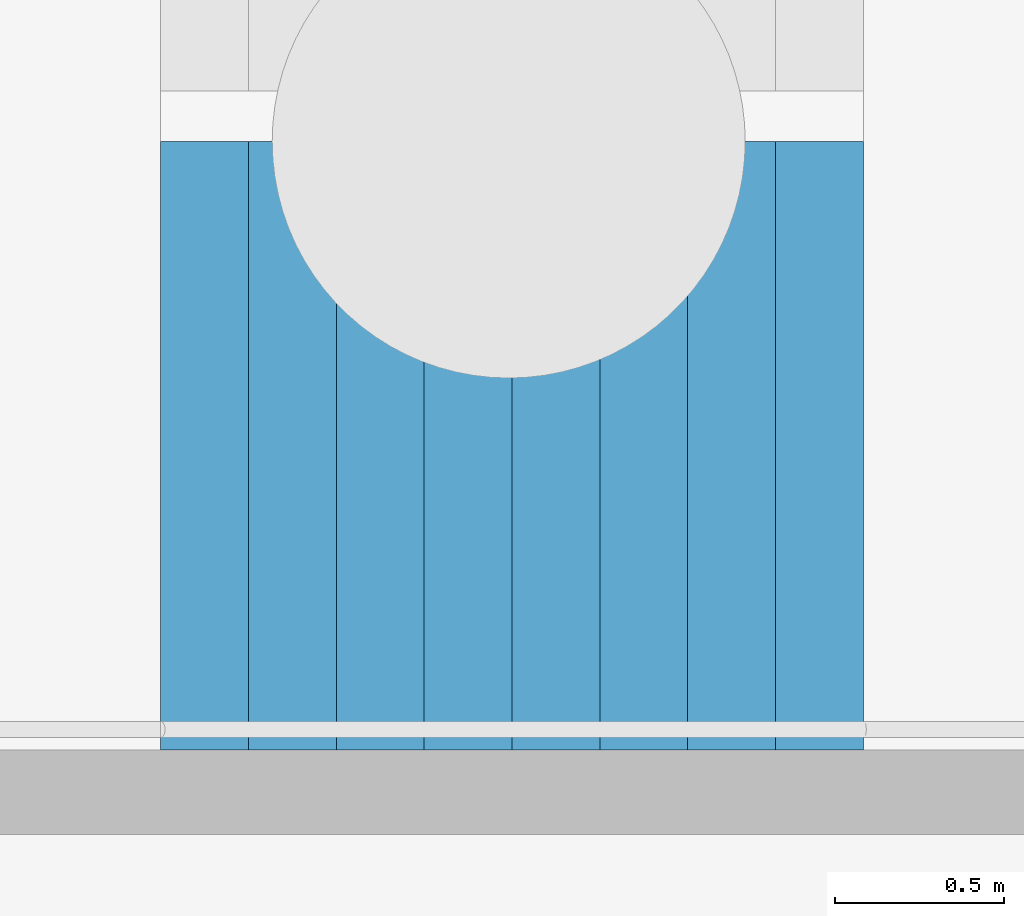
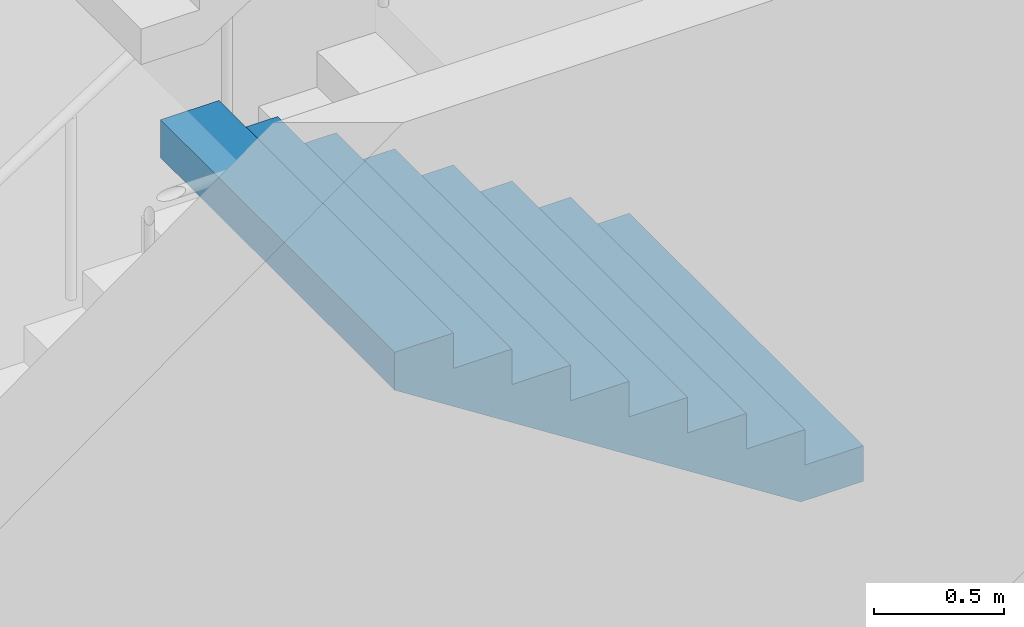
# One storey, part 80 of 113: 1 stair flight, 1 element without a shape of its own.
"""IFC4 building model written with IfcOpenShell, lengths in metres."""

from ifc_helpers import new_model, si_unit, direction, frame, origin, place, context, subcontext, project, spatial, triangles, material, type_object, element, aggregate, save


model = new_model("IFC4")

# Units and contexts
model_context = context("Model", 3, precision=1e-05, world=origin(), true_north=direction((0.0, 1.0)))
body_context = subcontext(model_context, "Body", "Model", "MODEL_VIEW")
ifc_project = project(units=[si_unit("LENGTHUNIT", "METRE"), si_unit("AREAUNIT", "SQUARE_METRE"), si_unit("VOLUMEUNIT", "CUBIC_METRE"), si_unit("PLANEANGLEUNIT", "RADIAN"), si_unit("MASSUNIT", "GRAM", prefix="KILO")], contexts=[model_context])

# Site, building, storey
site_placement = place(None, origin())
site = spatial("IfcSite", under=ifc_project, at=site_placement, CompositionType="ELEMENT")
building_placement = place(site_placement, origin())
building = spatial("IfcBuilding", under=site, at=building_placement, Name="Hakoniwa Tower and Hamabe Station Hall", CompositionType="ELEMENT")
storey_placement = place(building_placement, origin())
storey = spatial("IfcBuildingStorey", under=building, at=storey_placement, Name="L01", CompositionType="ELEMENT", Elevation=0.0)

# Stair, stair flight
ifc_material_1 = material(Name="Concrete C40", Category="concrete")
stair_type = type_object("IfcStairType", Name="ESCAPE STAIR 1800", PredefinedType="HALF_TURN_STAIR", material=ifc_material_1)
stair_placement = place(storey_placement, origin())
stair = element("IfcStair", 1, at=stair_placement, inside=storey, type_object=stair_type, Name="Escape stair ST-3 L01", PredefinedType="HALF_TURN_STAIR")
ifc_material_2 = material(Name="Concrete C40", Category="concrete")
stair_flight_type = type_object("IfcStairFlightType", Name="STAIR FLIGHT 1800", PredefinedType="STRAIGHT", material=ifc_material_2)
stair_flight_placement = place(storey_placement, frame((24.39990234375, 4.64990234375, 6.0), z_axis=(0.0, 0.0, 1.0), x_axis=(-1.0, 0.0, 0.0)))
stair_flight = element("IfcStairFlight", 2, at=stair_flight_placement, type_object=stair_flight_type, Name="ST-3 flight 5", NumberOfRisers=9, NumberOfTreads=8, PredefinedType="STRAIGHT", RiserHeight=0.166666667, TreadLength=0.26, context=body_context, shape_type="Tessellation", body=[
    triangles([(0.0, 0.89990234375, 0.0), (0.260009765625, 0.89990234375, 0.0), (0.27783203125, 0.89990234375, 0.0), (0.52001953125, 0.89990234375, 0.1552734375), (0.780029296875, 0.89990234375, 0.322021484375), (1.0400390625, 0.89990234375, 0.488525390625), (1.300048828125, 0.89990234375, 0.6552734375), (1.56005859375, 0.89990234375, 0.822021484375), (1.820068359375, 0.89990234375, 0.988525390625), (2.080078125, 0.89990234375, 1.1552734375), (2.080078125, 0.89990234375, 1.333251953125), (1.820068359375, 0.89990234375, 1.333251953125), (1.820068359375, 0.89990234375, 1.166748046875), (1.56005859375, 0.89990234375, 1.166748046875), (1.56005859375, 0.89990234375, 1.0), (1.300048828125, 0.89990234375, 1.0), (1.300048828125, 0.89990234375, 0.833251953125), (1.0400390625, 0.89990234375, 0.833251953125), (1.0400390625, 0.89990234375, 0.666748046875), (0.780029296875, 0.89990234375, 0.666748046875), (0.780029296875, 0.89990234375, 0.5), (0.52001953125, 0.89990234375, 0.5), (0.52001953125, 0.89990234375, 0.333251953125), (0.27783203125, 0.89990234375, 0.333251953125), (0.260009765625, 0.89990234375, 0.333251953125), (0.260009765625, 0.89990234375, 0.166748046875), (0.0, 0.89990234375, 0.166748046875), (0.0, 0.06005859375, 0.0), (0.260009765625, 0.06005859375, 0.0), (0.27783203125, 0.06005859375, 0.0), (0.52001953125, 0.06005859375, 0.1552734375), (0.780029296875, 0.06005859375, 0.322021484375), (1.0400390625, 0.06005859375, 0.488525390625), (1.300048828125, 0.06005859375, 0.6552734375), (1.56005859375, 0.06005859375, 0.822021484375), (1.820068359375, 0.06005859375, 0.988525390625), (2.080078125, 0.06005859375, 1.1552734375), (2.080078125, 0.06005859375, 1.333251953125), (1.820068359375, 0.06005859375, 1.333251953125), (1.820068359375, 0.06005859375, 1.166748046875), (1.56005859375, 0.06005859375, 1.166748046875), (1.56005859375, 0.06005859375, 1.0), (1.300048828125, 0.06005859375, 1.0), (1.300048828125, 0.06005859375, 0.833251953125), (1.0400390625, 0.06005859375, 0.833251953125), (1.0400390625, 0.06005859375, 0.666748046875), (0.780029296875, 0.06005859375, 0.666748046875), (0.780029296875, 0.06005859375, 0.5), (0.52001953125, 0.06005859375, 0.5), (0.52001953125, 0.06005859375, 0.333251953125), (0.27783203125, 0.06005859375, 0.333251953125), (0.260009765625, 0.06005859375, 0.333251953125), (0.260009765625, 0.06005859375, 0.166748046875), (0.0, 0.06005859375, 0.166748046875), (0.0, 0.04296875, 0.0), (0.260009765625, 0.04296875, 0.0), (0.27783203125, 0.04296875, 0.0), (0.52001953125, 0.04296875, 0.1552734375), (0.780029296875, 0.04296875, 0.322021484375), (1.0400390625, 0.04296875, 0.488525390625), (1.300048828125, 0.04296875, 0.6552734375), (1.56005859375, 0.04296875, 0.822021484375), (1.820068359375, 0.04296875, 0.988525390625), (2.080078125, 0.04296875, 1.1552734375), (2.080078125, 0.04296875, 1.333251953125), (1.820068359375, 0.04296875, 1.333251953125), (1.820068359375, 0.04296875, 1.166748046875), (1.56005859375, 0.04296875, 1.166748046875), (1.56005859375, 0.04296875, 1.0), (1.300048828125, 0.04296875, 1.0), (1.300048828125, 0.04296875, 0.833251953125), (1.0400390625, 0.04296875, 0.833251953125), (1.0400390625, 0.04296875, 0.666748046875), (0.780029296875, 0.04296875, 0.666748046875), (0.780029296875, 0.04296875, 0.5), (0.52001953125, 0.04296875, 0.5), (0.52001953125, 0.04296875, 0.333251953125), (0.27783203125, 0.04296875, 0.333251953125), (0.260009765625, 0.04296875, 0.333251953125), (0.260009765625, 0.04296875, 0.166748046875), (0.0, 0.04296875, 0.166748046875), (0.0, 0.025634765625, 0.0), (0.260009765625, 0.025634765625, 0.0), (0.27783203125, 0.025634765625, 0.0), (0.52001953125, 0.025634765625, 0.1552734375), (0.780029296875, 0.025634765625, 0.322021484375), (1.0400390625, 0.025634765625, 0.488525390625), (1.300048828125, 0.025634765625, 0.6552734375), (1.56005859375, 0.025634765625, 0.822021484375), (1.820068359375, 0.025634765625, 0.988525390625), (2.080078125, 0.025634765625, 1.1552734375), (2.080078125, 0.025634765625, 1.333251953125), (1.820068359375, 0.025634765625, 1.333251953125), (1.820068359375, 0.025634765625, 1.166748046875), (1.56005859375, 0.025634765625, 1.166748046875), (1.56005859375, 0.025634765625, 1.0), (1.300048828125, 0.025634765625, 1.0), (1.300048828125, 0.025634765625, 0.833251953125), (1.0400390625, 0.025634765625, 0.833251953125), (1.0400390625, 0.025634765625, 0.666748046875), (0.780029296875, 0.025634765625, 0.666748046875), (0.780029296875, 0.025634765625, 0.5), (0.52001953125, 0.025634765625, 0.5), (0.52001953125, 0.025634765625, 0.333251953125), (0.27783203125, 0.025634765625, 0.333251953125), (0.260009765625, 0.025634765625, 0.333251953125), (0.260009765625, 0.025634765625, 0.166748046875), (0.0, 0.025634765625, 0.166748046875), (0.0, 0.008544921875, 0.0), (0.260009765625, 0.008544921875, 0.0), (0.27783203125, 0.008544921875, 0.0), (0.52001953125, 0.008544921875, 0.1552734375), (0.780029296875, 0.008544921875, 0.322021484375), (1.0400390625, 0.008544921875, 0.488525390625), (1.300048828125, 0.008544921875, 0.6552734375), (1.56005859375, 0.008544921875, 0.822021484375), (1.820068359375, 0.008544921875, 0.988525390625), (2.080078125, 0.008544921875, 1.1552734375), (2.080078125, 0.008544921875, 1.333251953125), (1.820068359375, 0.008544921875, 1.333251953125), (1.820068359375, 0.008544921875, 1.166748046875), (1.56005859375, 0.008544921875, 1.166748046875), (1.56005859375, 0.008544921875, 1.0), (1.300048828125, 0.008544921875, 1.0), (1.300048828125, 0.008544921875, 0.833251953125), (1.0400390625, 0.008544921875, 0.833251953125), (1.0400390625, 0.008544921875, 0.666748046875), (0.780029296875, 0.008544921875, 0.666748046875), (0.780029296875, 0.008544921875, 0.5), (0.52001953125, 0.008544921875, 0.5), (0.52001953125, 0.008544921875, 0.333251953125), (0.27783203125, 0.008544921875, 0.333251953125), (0.260009765625, 0.008544921875, 0.333251953125), (0.260009765625, 0.008544921875, 0.166748046875), (0.0, 0.008544921875, 0.166748046875), (0.0, -0.008544921875, 0.0), (0.260009765625, -0.008544921875, 0.0), (0.27783203125, -0.008544921875, 0.0), (0.52001953125, -0.008544921875, 0.1552734375), (0.780029296875, -0.008544921875, 0.322021484375), (1.0400390625, -0.008544921875, 0.488525390625), (1.300048828125, -0.008544921875, 0.6552734375), (1.56005859375, -0.008544921875, 0.822021484375), (1.820068359375, -0.008544921875, 0.988525390625), (2.080078125, -0.008544921875, 1.1552734375), (2.080078125, -0.008544921875, 1.333251953125), (1.820068359375, -0.008544921875, 1.333251953125), (1.820068359375, -0.008544921875, 1.166748046875), (1.56005859375, -0.008544921875, 1.166748046875), (1.56005859375, -0.008544921875, 1.0), (1.300048828125, -0.008544921875, 1.0), (1.300048828125, -0.008544921875, 0.833251953125), (1.0400390625, -0.008544921875, 0.833251953125), (1.0400390625, -0.008544921875, 0.666748046875), (0.780029296875, -0.008544921875, 0.666748046875), (0.780029296875, -0.008544921875, 0.5), (0.52001953125, -0.008544921875, 0.5), (0.52001953125, -0.008544921875, 0.333251953125), (0.27783203125, -0.008544921875, 0.333251953125), (0.260009765625, -0.008544921875, 0.333251953125), (0.260009765625, -0.008544921875, 0.166748046875), (0.0, -0.008544921875, 0.166748046875), (0.0, -0.025634765625, 0.0), (0.260009765625, -0.025634765625, 0.0), (0.27783203125, -0.025634765625, 0.0), (0.52001953125, -0.025634765625, 0.1552734375), (0.780029296875, -0.025634765625, 0.322021484375), (1.0400390625, -0.025634765625, 0.488525390625), (1.300048828125, -0.025634765625, 0.6552734375), (1.56005859375, -0.025634765625, 0.822021484375), (1.820068359375, -0.025634765625, 0.988525390625), (2.080078125, -0.025634765625, 1.1552734375), (2.080078125, -0.025634765625, 1.333251953125), (1.820068359375, -0.025634765625, 1.333251953125), (1.820068359375, -0.025634765625, 1.166748046875), (1.56005859375, -0.025634765625, 1.166748046875), (1.56005859375, -0.025634765625, 1.0), (1.300048828125, -0.025634765625, 1.0), (1.300048828125, -0.025634765625, 0.833251953125), (1.0400390625, -0.025634765625, 0.833251953125), (1.0400390625, -0.025634765625, 0.666748046875), (0.780029296875, -0.025634765625, 0.666748046875), (0.780029296875, -0.025634765625, 0.5), (0.52001953125, -0.025634765625, 0.5), (0.52001953125, -0.025634765625, 0.333251953125), (0.27783203125, -0.025634765625, 0.333251953125), (0.260009765625, -0.025634765625, 0.333251953125), (0.260009765625, -0.025634765625, 0.166748046875), (0.0, -0.025634765625, 0.166748046875), (0.0, -0.04296875, 0.0), (0.260009765625, -0.04296875, 0.0), (0.27783203125, -0.04296875, 0.0), (0.52001953125, -0.04296875, 0.1552734375), (0.780029296875, -0.04296875, 0.322021484375), (1.0400390625, -0.04296875, 0.488525390625), (1.300048828125, -0.04296875, 0.6552734375), (1.56005859375, -0.04296875, 0.822021484375), (1.820068359375, -0.04296875, 0.988525390625), (2.080078125, -0.04296875, 1.1552734375), (2.080078125, -0.04296875, 1.333251953125), (1.820068359375, -0.04296875, 1.333251953125), (1.820068359375, -0.04296875, 1.166748046875), (1.56005859375, -0.04296875, 1.166748046875), (1.56005859375, -0.04296875, 1.0), (1.300048828125, -0.04296875, 1.0), (1.300048828125, -0.04296875, 0.833251953125), (1.0400390625, -0.04296875, 0.833251953125), (1.0400390625, -0.04296875, 0.666748046875), (0.780029296875, -0.04296875, 0.666748046875), (0.780029296875, -0.04296875, 0.5), (0.52001953125, -0.04296875, 0.5), (0.52001953125, -0.04296875, 0.333251953125), (0.27783203125, -0.04296875, 0.333251953125), (0.260009765625, -0.04296875, 0.333251953125), (0.260009765625, -0.04296875, 0.166748046875), (0.0, -0.04296875, 0.166748046875), (0.0, -0.06005859375, 0.0), (0.260009765625, -0.06005859375, 0.0), (0.27783203125, -0.06005859375, 0.0), (0.52001953125, -0.06005859375, 0.1552734375), (0.780029296875, -0.06005859375, 0.322021484375), (1.0400390625, -0.06005859375, 0.488525390625), (1.300048828125, -0.06005859375, 0.6552734375), (1.56005859375, -0.06005859375, 0.822021484375), (1.820068359375, -0.06005859375, 0.988525390625), (2.080078125, -0.06005859375, 1.1552734375), (2.080078125, -0.06005859375, 1.333251953125), (1.820068359375, -0.06005859375, 1.333251953125), (1.820068359375, -0.06005859375, 1.166748046875), (1.56005859375, -0.06005859375, 1.166748046875), (1.56005859375, -0.06005859375, 1.0), (1.300048828125, -0.06005859375, 1.0), (1.300048828125, -0.06005859375, 0.833251953125), (1.0400390625, -0.06005859375, 0.833251953125), (1.0400390625, -0.06005859375, 0.666748046875), (0.780029296875, -0.06005859375, 0.666748046875), (0.780029296875, -0.06005859375, 0.5), (0.52001953125, -0.06005859375, 0.5), (0.52001953125, -0.06005859375, 0.333251953125), (0.27783203125, -0.06005859375, 0.333251953125), (0.260009765625, -0.06005859375, 0.333251953125), (0.260009765625, -0.06005859375, 0.166748046875), (0.0, -0.06005859375, 0.166748046875), (0.0, -0.89990234375, 0.0), (0.260009765625, -0.89990234375, 0.0), (0.27783203125, -0.89990234375, 0.0), (0.52001953125, -0.89990234375, 0.1552734375), (0.780029296875, -0.89990234375, 0.322021484375), (1.0400390625, -0.89990234375, 0.488525390625), (1.300048828125, -0.89990234375, 0.6552734375), (1.56005859375, -0.89990234375, 0.822021484375), (1.820068359375, -0.89990234375, 0.988525390625), (2.080078125, -0.89990234375, 1.1552734375), (2.080078125, -0.89990234375, 1.333251953125), (1.820068359375, -0.89990234375, 1.333251953125), (1.820068359375, -0.89990234375, 1.166748046875), (1.56005859375, -0.89990234375, 1.166748046875), (1.56005859375, -0.89990234375, 1.0), (1.300048828125, -0.89990234375, 1.0), (1.300048828125, -0.89990234375, 0.833251953125), (1.0400390625, -0.89990234375, 0.833251953125), (1.0400390625, -0.89990234375, 0.666748046875), (0.780029296875, -0.89990234375, 0.666748046875), (0.780029296875, -0.89990234375, 0.5), (0.52001953125, -0.89990234375, 0.5), (0.52001953125, -0.89990234375, 0.333251953125), (0.27783203125, -0.89990234375, 0.333251953125), (0.260009765625, -0.89990234375, 0.333251953125), (0.260009765625, -0.89990234375, 0.166748046875), (0.0, -0.89990234375, 0.166748046875)], [[2, 27, 26], [245, 269, 270], [2, 1, 27], [245, 270, 244], [3, 25, 24], [246, 267, 268], [3, 26, 25], [246, 268, 269], [3, 2, 26], [246, 269, 245], [4, 24, 23], [247, 266, 267], [4, 3, 24], [247, 267, 246], [5, 22, 21], [248, 264, 265], [5, 23, 22], [248, 265, 266], [5, 4, 23], [248, 266, 247], [6, 20, 19], [249, 262, 263], [6, 21, 20], [249, 263, 264], [6, 5, 21], [249, 264, 248], [7, 18, 17], [250, 260, 261], [7, 19, 18], [250, 261, 262], [7, 6, 19], [250, 262, 249], [8, 16, 15], [251, 258, 259], [8, 17, 16], [251, 259, 260], [8, 7, 17], [251, 260, 250], [9, 14, 13], [252, 256, 257], [9, 15, 14], [252, 257, 258], [9, 8, 15], [252, 258, 251], [10, 12, 11], [253, 254, 255], [10, 13, 12], [253, 255, 256], [10, 9, 13], [253, 256, 252], [1, 2, 29], [1, 29, 28], [28, 29, 56], [28, 56, 55], [55, 56, 83], [55, 83, 82], [82, 83, 110], [82, 110, 109], [109, 110, 137], [109, 137, 136], [136, 137, 164], [136, 164, 163], [163, 164, 191], [163, 191, 190], [190, 191, 218], [190, 218, 217], [217, 218, 245], [217, 245, 244], [2, 3, 30], [2, 30, 29], [29, 30, 57], [29, 57, 56], [56, 57, 84], [56, 84, 83], [83, 84, 111], [83, 111, 110], [110, 111, 138], [110, 138, 137], [137, 138, 165], [137, 165, 164], [164, 165, 192], [164, 192, 191], [191, 192, 219], [191, 219, 218], [218, 219, 246], [218, 246, 245], [3, 4, 31], [3, 31, 30], [30, 31, 58], [30, 58, 57], [57, 58, 85], [57, 85, 84], [84, 85, 112], [84, 112, 111], [111, 112, 139], [111, 139, 138], [138, 139, 166], [138, 166, 165], [165, 166, 193], [165, 193, 192], [192, 193, 220], [192, 220, 219], [219, 220, 247], [219, 247, 246], [4, 5, 32], [4, 32, 31], [31, 32, 59], [31, 59, 58], [58, 59, 86], [58, 86, 85], [85, 86, 113], [85, 113, 112], [112, 113, 140], [112, 140, 139], [139, 140, 167], [139, 167, 166], [166, 167, 194], [166, 194, 193], [193, 194, 221], [193, 221, 220], [220, 221, 248], [220, 248, 247], [5, 6, 33], [5, 33, 32], [32, 33, 60], [32, 60, 59], [59, 60, 87], [59, 87, 86], [86, 87, 114], [86, 114, 113], [113, 114, 141], [113, 141, 140], [140, 141, 168], [140, 168, 167], [167, 168, 195], [167, 195, 194], [194, 195, 222], [194, 222, 221], [221, 222, 249], [221, 249, 248], [6, 7, 34], [6, 34, 33], [33, 34, 61], [33, 61, 60], [60, 61, 88], [60, 88, 87], [87, 88, 115], [87, 115, 114], [114, 115, 142], [114, 142, 141], [141, 142, 169], [141, 169, 168], [168, 169, 196], [168, 196, 195], [195, 196, 223], [195, 223, 222], [222, 223, 250], [222, 250, 249], [7, 8, 35], [7, 35, 34], [34, 35, 62], [34, 62, 61], [61, 62, 89], [61, 89, 88], [88, 89, 116], [88, 116, 115], [115, 116, 143], [115, 143, 142], [142, 143, 170], [142, 170, 169], [169, 170, 197], [169, 197, 196], [196, 197, 224], [196, 224, 223], [223, 224, 251], [223, 251, 250], [8, 9, 36], [8, 36, 35], [35, 36, 63], [35, 63, 62], [62, 63, 90], [62, 90, 89], [89, 90, 117], [89, 117, 116], [116, 117, 144], [116, 144, 143], [143, 144, 171], [143, 171, 170], [170, 171, 198], [170, 198, 197], [197, 198, 225], [197, 225, 224], [224, 225, 252], [224, 252, 251], [9, 10, 37], [9, 37, 36], [36, 37, 64], [36, 64, 63], [63, 64, 91], [63, 91, 90], [90, 91, 118], [90, 118, 117], [117, 118, 145], [117, 145, 144], [144, 145, 172], [144, 172, 171], [171, 172, 199], [171, 199, 198], [198, 199, 226], [198, 226, 225], [225, 226, 253], [225, 253, 252], [10, 11, 38], [10, 38, 37], [37, 38, 65], [37, 65, 64], [64, 65, 92], [64, 92, 91], [91, 92, 119], [91, 119, 118], [118, 119, 146], [118, 146, 145], [145, 146, 173], [145, 173, 172], [172, 173, 200], [172, 200, 199], [199, 200, 227], [199, 227, 226], [226, 227, 254], [226, 254, 253], [11, 12, 39], [11, 39, 38], [38, 39, 66], [38, 66, 65], [65, 66, 93], [65, 93, 92], [92, 93, 120], [92, 120, 119], [119, 120, 147], [119, 147, 146], [146, 147, 174], [146, 174, 173], [173, 174, 201], [173, 201, 200], [200, 201, 228], [200, 228, 227], [227, 228, 255], [227, 255, 254], [12, 13, 40], [12, 40, 39], [39, 40, 67], [39, 67, 66], [66, 67, 94], [66, 94, 93], [93, 94, 121], [93, 121, 120], [120, 121, 148], [120, 148, 147], [147, 148, 175], [147, 175, 174], [174, 175, 202], [174, 202, 201], [201, 202, 229], [201, 229, 228], [228, 229, 256], [228, 256, 255], [13, 14, 41], [13, 41, 40], [40, 41, 68], [40, 68, 67], [67, 68, 95], [67, 95, 94], [94, 95, 122], [94, 122, 121], [121, 122, 149], [121, 149, 148], [148, 149, 176], [148, 176, 175], [175, 176, 203], [175, 203, 202], [202, 203, 230], [202, 230, 229], [229, 230, 257], [229, 257, 256], [14, 15, 42], [14, 42, 41], [41, 42, 69], [41, 69, 68], [68, 69, 96], [68, 96, 95], [95, 96, 123], [95, 123, 122], [122, 123, 150], [122, 150, 149], [149, 150, 177], [149, 177, 176], [176, 177, 204], [176, 204, 203], [203, 204, 231], [203, 231, 230], [230, 231, 258], [230, 258, 257], [15, 16, 43], [15, 43, 42], [42, 43, 70], [42, 70, 69], [69, 70, 97], [69, 97, 96], [96, 97, 124], [96, 124, 123], [123, 124, 151], [123, 151, 150], [150, 151, 178], [150, 178, 177], [177, 178, 205], [177, 205, 204], [204, 205, 232], [204, 232, 231], [231, 232, 259], [231, 259, 258], [16, 17, 44], [16, 44, 43], [43, 44, 71], [43, 71, 70], [70, 71, 98], [70, 98, 97], [97, 98, 125], [97, 125, 124], [124, 125, 152], [124, 152, 151], [151, 152, 179], [151, 179, 178], [178, 179, 206], [178, 206, 205], [205, 206, 233], [205, 233, 232], [232, 233, 260], [232, 260, 259], [17, 18, 45], [17, 45, 44], [44, 45, 72], [44, 72, 71], [71, 72, 99], [71, 99, 98], [98, 99, 126], [98, 126, 125], [125, 126, 153], [125, 153, 152], [152, 153, 180], [152, 180, 179], [179, 180, 207], [179, 207, 206], [206, 207, 234], [206, 234, 233], [233, 234, 261], [233, 261, 260], [18, 19, 46], [18, 46, 45], [45, 46, 73], [45, 73, 72], [72, 73, 100], [72, 100, 99], [99, 100, 127], [99, 127, 126], [126, 127, 154], [126, 154, 153], [153, 154, 181], [153, 181, 180], [180, 181, 208], [180, 208, 207], [207, 208, 235], [207, 235, 234], [234, 235, 262], [234, 262, 261], [19, 20, 47], [19, 47, 46], [46, 47, 74], [46, 74, 73], [73, 74, 101], [73, 101, 100], [100, 101, 128], [100, 128, 127], [127, 128, 155], [127, 155, 154], [154, 155, 182], [154, 182, 181], [181, 182, 209], [181, 209, 208], [208, 209, 236], [208, 236, 235], [235, 236, 263], [235, 263, 262], [20, 21, 48], [20, 48, 47], [47, 48, 75], [47, 75, 74], [74, 75, 102], [74, 102, 101], [101, 102, 129], [101, 129, 128], [128, 129, 156], [128, 156, 155], [155, 156, 183], [155, 183, 182], [182, 183, 210], [182, 210, 209], [209, 210, 237], [209, 237, 236], [236, 237, 264], [236, 264, 263], [21, 22, 49], [21, 49, 48], [48, 49, 76], [48, 76, 75], [75, 76, 103], [75, 103, 102], [102, 103, 130], [102, 130, 129], [129, 130, 157], [129, 157, 156], [156, 157, 184], [156, 184, 183], [183, 184, 211], [183, 211, 210], [210, 211, 238], [210, 238, 237], [237, 238, 265], [237, 265, 264], [22, 23, 50], [22, 50, 49], [49, 50, 77], [49, 77, 76], [76, 77, 104], [76, 104, 103], [103, 104, 131], [103, 131, 130], [130, 131, 158], [130, 158, 157], [157, 158, 185], [157, 185, 184], [184, 185, 212], [184, 212, 211], [211, 212, 239], [211, 239, 238], [238, 239, 266], [238, 266, 265], [23, 24, 51], [23, 51, 50], [50, 51, 78], [50, 78, 77], [77, 78, 105], [77, 105, 104], [104, 105, 132], [104, 132, 131], [131, 132, 159], [131, 159, 158], [158, 159, 186], [158, 186, 185], [185, 186, 213], [185, 213, 212], [212, 213, 240], [212, 240, 239], [239, 240, 267], [239, 267, 266], [24, 25, 52], [24, 52, 51], [51, 52, 79], [51, 79, 78], [78, 79, 106], [78, 106, 105], [105, 106, 133], [105, 133, 132], [132, 133, 160], [132, 160, 159], [159, 160, 187], [159, 187, 186], [186, 187, 214], [186, 214, 213], [213, 214, 241], [213, 241, 240], [240, 241, 268], [240, 268, 267], [25, 26, 53], [25, 53, 52], [52, 53, 80], [52, 80, 79], [79, 80, 107], [79, 107, 106], [106, 107, 134], [106, 134, 133], [133, 134, 161], [133, 161, 160], [160, 161, 188], [160, 188, 187], [187, 188, 215], [187, 215, 214], [214, 215, 242], [214, 242, 241], [241, 242, 269], [241, 269, 268], [26, 27, 54], [26, 54, 53], [53, 54, 81], [53, 81, 80], [80, 81, 108], [80, 108, 107], [107, 108, 135], [107, 135, 134], [134, 135, 162], [134, 162, 161], [161, 162, 189], [161, 189, 188], [188, 189, 216], [188, 216, 215], [215, 216, 243], [215, 243, 242], [242, 243, 270], [242, 270, 269], [27, 1, 28], [27, 28, 54], [54, 28, 55], [54, 55, 81], [81, 55, 82], [81, 82, 108], [108, 82, 109], [108, 109, 135], [135, 109, 136], [135, 136, 162], [162, 136, 163], [162, 163, 189], [189, 163, 190], [189, 190, 216], [216, 190, 217], [216, 217, 243], [243, 217, 244], [243, 244, 270]], closed=True),
])
aggregate(stair, [stair_flight])

save(model, "model.ifc")
